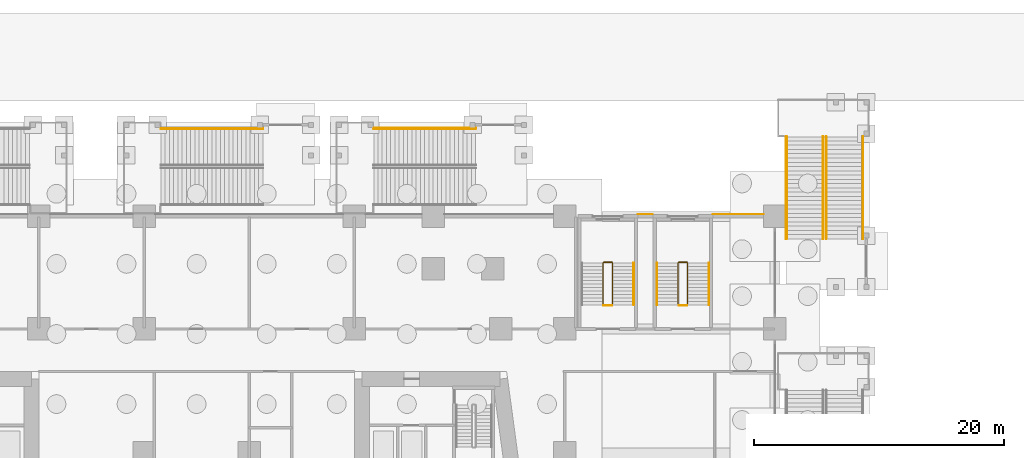
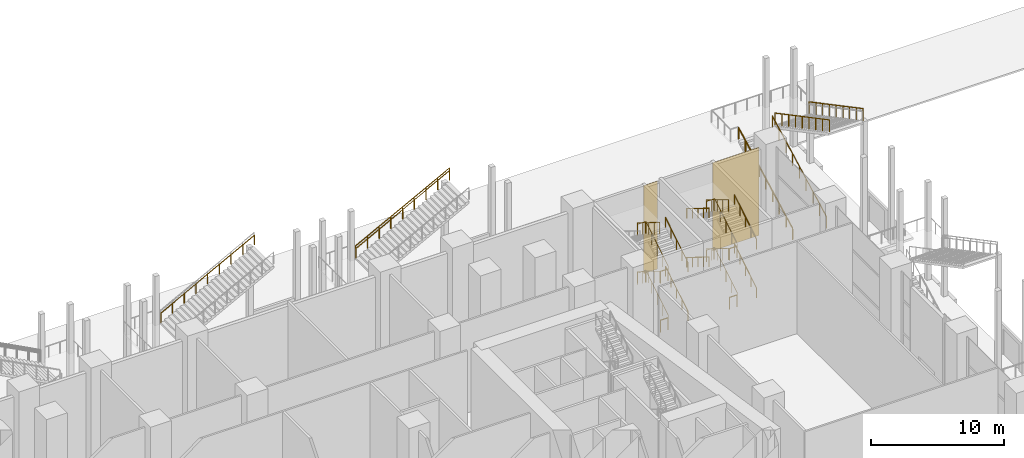
# One storey, part 70 of 72: 22 railings, 2 coverings.
"""IFC4 building model written with IfcOpenShell, lengths in metres."""

from ifc_helpers import new_model, si_unit, direction, frame, origin, origin_2d, place, context, subcontext, project, spatial, rectangle, circle, extrude, material, layer, layer_set, type_object, element, save


model = new_model("IFC4")

# Units and contexts
model_context = context("Model", 3, precision=1e-05, world=origin(), true_north=direction((0.0, 1.0)))
body_context = subcontext(model_context, "Body", "Model", "MODEL_VIEW")
ifc_project = project(units=[si_unit("LENGTHUNIT", "METRE"), si_unit("AREAUNIT", "SQUARE_METRE"), si_unit("VOLUMEUNIT", "CUBIC_METRE"), si_unit("PLANEANGLEUNIT", "RADIAN"), si_unit("MASSUNIT", "GRAM", prefix="KILO")], contexts=[model_context])

# Site, building, storey
site_placement = place(None, origin())
site = spatial("IfcSite", under=ifc_project, at=site_placement, CompositionType="ELEMENT")
building_placement = place(site_placement, origin())
building = spatial("IfcBuilding", under=site, at=building_placement, Name="Candeia Pilgrim Tower and Theatre", CompositionType="ELEMENT")
storey_placement = place(building_placement, origin())
storey = spatial("IfcBuildingStorey", under=building, at=storey_placement, Name="L00", CompositionType="ELEMENT", Elevation=0.0)

# Coverings
ifc_material_1 = material(Name="Glazed ceramic mosaic multi-colour")
ifc_layer = layer(ifc_material_1, 0.02490234375)
ifc_layer_set = layer_set([ifc_layer], Name="MS1 glazed ceramic mosaic")
covering_type = type_object("IfcCoveringType", Name="MS1 glazed ceramic mosaic", PredefinedType="CLADDING", material=ifc_layer_set)
covering_1_placement = place(storey_placement, frame((149.25, 144.96240234375, 0.0), z_axis=(0.0, 0.0, 1.0), x_axis=(1.0, 0.0, 0.0)))
element("IfcCovering", 1, at=covering_1_placement, inside=storey, type_object=covering_type, Name="Mosaic panel", PredefinedType="CLADDING", context=body_context, shape_type="SweptSolid", body=[
    extrude(rectangle(XDim=1.199951171875, YDim=0.02490234375, at=origin_2d()), origin(), (0.0, 0.0, 1.0), 8.10009765625),
])
covering_2_placement = place(storey_placement, frame((156.675048828125, 144.96240234375, 0.0), z_axis=(0.0, 0.0, 1.0), x_axis=(1.0, 0.0, 0.0)))
element("IfcCovering", 2, at=covering_2_placement, inside=storey, type_object=covering_type, Name="Mosaic panel", PredefinedType="CLADDING", context=body_context, shape_type="SweptSolid", body=[
    extrude(rectangle(XDim=4.050048828125, YDim=0.02490234375, at=origin_2d()), origin(), (0.0, 0.0, 1.0), 8.10009765625),
])

# Railings
ifc_material_2 = material(Name="Stainless steel balustrade", Category="steel")
railing_type_1 = type_object("IfcRailingType", Name="RL-GUARD-1100", PredefinedType="GUARDRAIL", material=ifc_material_2)
railing_1_placement = place(storey_placement, frame((146.625, 137.72509765625, 0.173095703125)))
element("IfcRailing", 3, at=railing_1_placement, inside=storey, type_object=railing_type_1, Name="L00 PS3 stair guard 1", PredefinedType="GUARDRAIL", context=body_context, shape_type="SweptSolid", body=[
    extrude(circle(Radius=0.02392578125, at=origin_2d()), frame((0.0, 0.0, 1.076171875), z_axis=(0.0, 0.850606129759, 0.525803396734), x_axis=(-1.0, 0.0, 0.0)), (0.0, 0.0, 1.0), 3.949951171875),
    extrude(circle(Radius=0.02392578125, at=origin_2d()), frame((0.0, 3.35986328125, 3.15283203125), z_axis=(-0.707106781187, 0.707106781187, 0.0), x_axis=(-0.707106781187, -0.707106781187, 0.0)), (0.0, 0.0, 1.0), 0.07080078125),
    extrude(circle(Radius=0.02392578125, at=origin_2d()), frame((-0.050048828125, 3.409912109375, 3.15283203125), z_axis=(-1.0, 0.0, 0.0), x_axis=(0.0, -1.0, 0.0)), (0.0, 0.0, 1.0), 0.64990234375),
    extrude(circle(Radius=0.02392578125, at=origin_2d()), frame((-0.699951171875, 3.409912109375, 3.15283203125), z_axis=(-0.267629722418, -0.267629722418, 0.925607186314), x_axis=(0.707106781187, -0.707106781187, 0.0)), (0.0, 0.0, 1.0), 0.18701171875),
    extrude(circle(Radius=0.02392578125, at=origin_2d()), frame((-0.75, 3.35986328125, 3.326171875), z_axis=(0.0, -0.850606129759, 0.525803396734), x_axis=(1.0, 0.0, 0.0)), (0.0, 0.0, 1.0), 3.949951171875),
    extrude(circle(Radius=0.02099609375, at=origin_2d()), origin(), (0.0, 0.0, 1.0), 1.052001953125),
    extrude(circle(Radius=0.02099609375, at=origin_2d()), frame((0.0, 0.83984375, 0.519287109375)), (0.0, 0.0, 1.0), 1.052001953125),
    extrude(circle(Radius=0.02099609375, at=origin_2d()), frame((0.0, 1.679931640625, 1.03857421875)), (0.0, 0.0, 1.0), 1.052001953125),
    extrude(circle(Radius=0.02099609375, at=origin_2d()), frame((0.0, 2.52001953125, 1.5576171875)), (0.0, 0.0, 1.0), 1.052001953125),
    extrude(circle(Radius=0.02099609375, at=origin_2d()), frame((0.0, 3.35986328125, 2.076904296875)), (0.0, 0.0, 1.0), 1.052001953125),
    extrude(circle(Radius=0.02099609375, at=origin_2d()), frame((-0.050048828125, 3.409912109375, 2.076904296875)), (0.0, 0.0, 1.0), 1.052001953125),
    extrude(circle(Radius=0.02099609375, at=origin_2d()), frame((-0.699951171875, 3.409912109375, 2.076904296875)), (0.0, 0.0, 1.0), 1.052001953125),
    extrude(circle(Radius=0.02099609375, at=origin_2d()), frame((-0.75, 3.35986328125, 2.25)), (0.0, 0.0, 1.0), 1.052001953125),
    extrude(circle(Radius=0.02099609375, at=origin_2d()), frame((-0.75, 2.52001953125, 2.769287109375)), (0.0, 0.0, 1.0), 1.052001953125),
    extrude(circle(Radius=0.02099609375, at=origin_2d()), frame((-0.75, 1.679931640625, 3.28857421875)), (0.0, 0.0, 1.0), 1.052001953125),
    extrude(circle(Radius=0.02099609375, at=origin_2d()), frame((-0.75, 0.83984375, 3.8076171875)), (0.0, 0.0, 1.0), 1.052001953125),
    extrude(circle(Radius=0.02099609375, at=origin_2d()), frame((-0.75, 0.0, 4.326904296875)), (0.0, 0.0, 1.0), 1.052001953125),
])
railing_2_placement = place(storey_placement, frame((146.574951171875, 137.675048828125, 4.5)))
element("IfcRailing", 4, at=railing_2_placement, inside=storey, type_object=railing_type_1, Name="L00 PS3 stair guard 2", PredefinedType="GUARDRAIL", context=body_context, shape_type="SweptSolid", body=[
    extrude(circle(Radius=0.02392578125, at=origin_2d()), frame((0.0, 0.0, 1.076171875), z_axis=(-1.0, 0.0, 0.0), x_axis=(0.0, -1.0, 0.0)), (0.0, 0.0, 1.0), 0.64990234375),
    extrude(circle(Radius=0.02099609375, at=origin_2d()), origin(), (0.0, 0.0, 1.0), 1.052001953125),
    extrude(circle(Radius=0.02099609375, at=origin_2d()), frame((-0.64990234375, 0.0, 0.0)), (0.0, 0.0, 1.0), 1.052001953125),
])
railing_3_placement = place(storey_placement, frame((146.625, 137.72509765625, 4.673095703125)))
element("IfcRailing", 5, at=railing_3_placement, inside=storey, type_object=railing_type_1, Name="L00 PS3 stair guard 3", PredefinedType="GUARDRAIL", context=body_context, shape_type="SweptSolid", body=[
    extrude(circle(Radius=0.02392578125, at=origin_2d()), frame((0.0, 0.0, 1.076171875), z_axis=(0.0, 0.850606129759, 0.525803396734), x_axis=(-1.0, 0.0, 0.0)), (0.0, 0.0, 1.0), 3.949951171875),
    extrude(circle(Radius=0.02392578125, at=origin_2d()), frame((0.0, 3.35986328125, 3.15283203125), z_axis=(-0.707106781187, 0.707106781187, 0.0), x_axis=(-0.707106781187, -0.707106781187, 0.0)), (0.0, 0.0, 1.0), 0.07080078125),
    extrude(circle(Radius=0.02392578125, at=origin_2d()), frame((-0.050048828125, 3.409912109375, 3.15283203125), z_axis=(-1.0, 0.0, 0.0), x_axis=(0.0, -1.0, 0.0)), (0.0, 0.0, 1.0), 0.64990234375),
    extrude(circle(Radius=0.02392578125, at=origin_2d()), frame((-0.699951171875, 3.409912109375, 3.15283203125), z_axis=(-0.267629722418, -0.267629722418, 0.925607186314), x_axis=(0.707106781187, -0.707106781187, 0.0)), (0.0, 0.0, 1.0), 0.18701171875),
    extrude(circle(Radius=0.02392578125, at=origin_2d()), frame((-0.75, 3.35986328125, 3.326171875), z_axis=(0.0, -0.850606129759, 0.525803396734), x_axis=(1.0, 0.0, 0.0)), (0.0, 0.0, 1.0), 3.949951171875),
    extrude(circle(Radius=0.02099609375, at=origin_2d()), origin(), (0.0, 0.0, 1.0), 1.052001953125),
    extrude(circle(Radius=0.02099609375, at=origin_2d()), frame((0.0, 0.83984375, 0.519287109375)), (0.0, 0.0, 1.0), 1.052001953125),
    extrude(circle(Radius=0.02099609375, at=origin_2d()), frame((0.0, 1.679931640625, 1.03857421875)), (0.0, 0.0, 1.0), 1.052001953125),
    extrude(circle(Radius=0.02099609375, at=origin_2d()), frame((0.0, 2.52001953125, 1.5576171875)), (0.0, 0.0, 1.0), 1.052001953125),
    extrude(circle(Radius=0.02099609375, at=origin_2d()), frame((0.0, 3.35986328125, 2.076904296875)), (0.0, 0.0, 1.0), 1.052001953125),
    extrude(circle(Radius=0.02099609375, at=origin_2d()), frame((-0.050048828125, 3.409912109375, 2.076904296875)), (0.0, 0.0, 1.0), 1.052001953125),
    extrude(circle(Radius=0.02099609375, at=origin_2d()), frame((-0.699951171875, 3.409912109375, 2.076904296875)), (0.0, 0.0, 1.0), 1.052001953125),
    extrude(circle(Radius=0.02099609375, at=origin_2d()), frame((-0.75, 3.35986328125, 2.25)), (0.0, 0.0, 1.0), 1.052001953125),
    extrude(circle(Radius=0.02099609375, at=origin_2d()), frame((-0.75, 2.52001953125, 2.769287109375)), (0.0, 0.0, 1.0), 1.052001953125),
    extrude(circle(Radius=0.02099609375, at=origin_2d()), frame((-0.75, 1.679931640625, 3.28857421875)), (0.0, 0.0, 1.0), 1.052001953125),
    extrude(circle(Radius=0.02099609375, at=origin_2d()), frame((-0.75, 0.83984375, 3.8076171875)), (0.0, 0.0, 1.0), 1.052001953125),
    extrude(circle(Radius=0.02099609375, at=origin_2d()), frame((-0.75, 0.0, 4.326904296875)), (0.0, 0.0, 1.0), 1.052001953125),
])
railing_4_placement = place(storey_placement, frame((146.574951171875, 137.675048828125, 0.0)))
element("IfcRailing", 6, at=railing_4_placement, inside=storey, type_object=railing_type_1, Name="L00 PS3 stair guard 4", PredefinedType="GUARDRAIL", context=body_context, shape_type="SweptSolid", body=[
    extrude(circle(Radius=0.02392578125, at=origin_2d()), frame((0.0, 0.0, 1.076171875), z_axis=(-1.0, 0.0, 0.0), x_axis=(0.0, -1.0, 0.0)), (0.0, 0.0, 1.0), 0.64990234375),
    extrude(circle(Radius=0.02099609375, at=origin_2d()), origin(), (0.0, 0.0, 1.0), 1.052001953125),
    extrude(circle(Radius=0.02099609375, at=origin_2d()), frame((-0.64990234375, 0.0, 0.0)), (0.0, 0.0, 1.0), 1.052001953125),
])
railing_5_placement = place(storey_placement, frame((152.625, 137.72509765625, 0.173095703125)))
element("IfcRailing", 7, at=railing_5_placement, inside=storey, type_object=railing_type_1, Name="L00 PS4 stair guard 1", PredefinedType="GUARDRAIL", context=body_context, shape_type="SweptSolid", body=[
    extrude(circle(Radius=0.02392578125, at=origin_2d()), frame((0.0, 0.0, 1.076171875), z_axis=(0.0, 0.850606129759, 0.525803396734), x_axis=(-1.0, 0.0, 0.0)), (0.0, 0.0, 1.0), 3.949951171875),
    extrude(circle(Radius=0.02392578125, at=origin_2d()), frame((0.0, 3.35986328125, 3.15283203125), z_axis=(-0.707106781187, 0.707106781187, 0.0), x_axis=(-0.707106781187, -0.707106781187, 0.0)), (0.0, 0.0, 1.0), 0.07080078125),
    extrude(circle(Radius=0.02392578125, at=origin_2d()), frame((-0.050048828125, 3.409912109375, 3.15283203125), z_axis=(-1.0, 0.0, 0.0), x_axis=(0.0, -1.0, 0.0)), (0.0, 0.0, 1.0), 0.64990234375),
    extrude(circle(Radius=0.02392578125, at=origin_2d()), frame((-0.699951171875, 3.409912109375, 3.15283203125), z_axis=(-0.267629722418, -0.267629722418, 0.925607186314), x_axis=(0.707106781187, -0.707106781187, 0.0)), (0.0, 0.0, 1.0), 0.18701171875),
    extrude(circle(Radius=0.02392578125, at=origin_2d()), frame((-0.75, 3.35986328125, 3.326171875), z_axis=(0.0, -0.850606129759, 0.525803396734), x_axis=(1.0, 0.0, 0.0)), (0.0, 0.0, 1.0), 3.949951171875),
    extrude(circle(Radius=0.02099609375, at=origin_2d()), origin(), (0.0, 0.0, 1.0), 1.052001953125),
    extrude(circle(Radius=0.02099609375, at=origin_2d()), frame((0.0, 0.83984375, 0.519287109375)), (0.0, 0.0, 1.0), 1.052001953125),
    extrude(circle(Radius=0.02099609375, at=origin_2d()), frame((0.0, 1.679931640625, 1.03857421875)), (0.0, 0.0, 1.0), 1.052001953125),
    extrude(circle(Radius=0.02099609375, at=origin_2d()), frame((0.0, 2.52001953125, 1.5576171875)), (0.0, 0.0, 1.0), 1.052001953125),
    extrude(circle(Radius=0.02099609375, at=origin_2d()), frame((0.0, 3.35986328125, 2.076904296875)), (0.0, 0.0, 1.0), 1.052001953125),
    extrude(circle(Radius=0.02099609375, at=origin_2d()), frame((-0.050048828125, 3.409912109375, 2.076904296875)), (0.0, 0.0, 1.0), 1.052001953125),
    extrude(circle(Radius=0.02099609375, at=origin_2d()), frame((-0.699951171875, 3.409912109375, 2.076904296875)), (0.0, 0.0, 1.0), 1.052001953125),
    extrude(circle(Radius=0.02099609375, at=origin_2d()), frame((-0.75, 3.35986328125, 2.25)), (0.0, 0.0, 1.0), 1.052001953125),
    extrude(circle(Radius=0.02099609375, at=origin_2d()), frame((-0.75, 2.52001953125, 2.769287109375)), (0.0, 0.0, 1.0), 1.052001953125),
    extrude(circle(Radius=0.02099609375, at=origin_2d()), frame((-0.75, 1.679931640625, 3.28857421875)), (0.0, 0.0, 1.0), 1.052001953125),
    extrude(circle(Radius=0.02099609375, at=origin_2d()), frame((-0.75, 0.83984375, 3.8076171875)), (0.0, 0.0, 1.0), 1.052001953125),
    extrude(circle(Radius=0.02099609375, at=origin_2d()), frame((-0.75, 0.0, 4.326904296875)), (0.0, 0.0, 1.0), 1.052001953125),
])
railing_6_placement = place(storey_placement, frame((152.574951171875, 137.675048828125, 4.5)))
element("IfcRailing", 8, at=railing_6_placement, inside=storey, type_object=railing_type_1, Name="L00 PS4 stair guard 2", PredefinedType="GUARDRAIL", context=body_context, shape_type="SweptSolid", body=[
    extrude(circle(Radius=0.02392578125, at=origin_2d()), frame((0.0, 0.0, 1.076171875), z_axis=(-1.0, 0.0, 0.0), x_axis=(0.0, -1.0, 0.0)), (0.0, 0.0, 1.0), 0.64990234375),
    extrude(circle(Radius=0.02099609375, at=origin_2d()), origin(), (0.0, 0.0, 1.0), 1.052001953125),
    extrude(circle(Radius=0.02099609375, at=origin_2d()), frame((-0.64990234375, 0.0, 0.0)), (0.0, 0.0, 1.0), 1.052001953125),
])
railing_7_placement = place(storey_placement, frame((152.625, 137.72509765625, 4.673095703125)))
element("IfcRailing", 9, at=railing_7_placement, inside=storey, type_object=railing_type_1, Name="L00 PS4 stair guard 3", PredefinedType="GUARDRAIL", context=body_context, shape_type="SweptSolid", body=[
    extrude(circle(Radius=0.02392578125, at=origin_2d()), frame((0.0, 0.0, 1.076171875), z_axis=(0.0, 0.850606129759, 0.525803396734), x_axis=(-1.0, 0.0, 0.0)), (0.0, 0.0, 1.0), 3.949951171875),
    extrude(circle(Radius=0.02392578125, at=origin_2d()), frame((0.0, 3.35986328125, 3.15283203125), z_axis=(-0.707106781187, 0.707106781187, 0.0), x_axis=(-0.707106781187, -0.707106781187, 0.0)), (0.0, 0.0, 1.0), 0.07080078125),
    extrude(circle(Radius=0.02392578125, at=origin_2d()), frame((-0.050048828125, 3.409912109375, 3.15283203125), z_axis=(-1.0, 0.0, 0.0), x_axis=(0.0, -1.0, 0.0)), (0.0, 0.0, 1.0), 0.64990234375),
    extrude(circle(Radius=0.02392578125, at=origin_2d()), frame((-0.699951171875, 3.409912109375, 3.15283203125), z_axis=(-0.267629722418, -0.267629722418, 0.925607186314), x_axis=(0.707106781187, -0.707106781187, 0.0)), (0.0, 0.0, 1.0), 0.18701171875),
    extrude(circle(Radius=0.02392578125, at=origin_2d()), frame((-0.75, 3.35986328125, 3.326171875), z_axis=(0.0, -0.850606129759, 0.525803396734), x_axis=(1.0, 0.0, 0.0)), (0.0, 0.0, 1.0), 3.949951171875),
    extrude(circle(Radius=0.02099609375, at=origin_2d()), origin(), (0.0, 0.0, 1.0), 1.052001953125),
    extrude(circle(Radius=0.02099609375, at=origin_2d()), frame((0.0, 0.83984375, 0.519287109375)), (0.0, 0.0, 1.0), 1.052001953125),
    extrude(circle(Radius=0.02099609375, at=origin_2d()), frame((0.0, 1.679931640625, 1.03857421875)), (0.0, 0.0, 1.0), 1.052001953125),
    extrude(circle(Radius=0.02099609375, at=origin_2d()), frame((0.0, 2.52001953125, 1.5576171875)), (0.0, 0.0, 1.0), 1.052001953125),
    extrude(circle(Radius=0.02099609375, at=origin_2d()), frame((0.0, 3.35986328125, 2.076904296875)), (0.0, 0.0, 1.0), 1.052001953125),
    extrude(circle(Radius=0.02099609375, at=origin_2d()), frame((-0.050048828125, 3.409912109375, 2.076904296875)), (0.0, 0.0, 1.0), 1.052001953125),
    extrude(circle(Radius=0.02099609375, at=origin_2d()), frame((-0.699951171875, 3.409912109375, 2.076904296875)), (0.0, 0.0, 1.0), 1.052001953125),
    extrude(circle(Radius=0.02099609375, at=origin_2d()), frame((-0.75, 3.35986328125, 2.25)), (0.0, 0.0, 1.0), 1.052001953125),
    extrude(circle(Radius=0.02099609375, at=origin_2d()), frame((-0.75, 2.52001953125, 2.769287109375)), (0.0, 0.0, 1.0), 1.052001953125),
    extrude(circle(Radius=0.02099609375, at=origin_2d()), frame((-0.75, 1.679931640625, 3.28857421875)), (0.0, 0.0, 1.0), 1.052001953125),
    extrude(circle(Radius=0.02099609375, at=origin_2d()), frame((-0.75, 0.83984375, 3.8076171875)), (0.0, 0.0, 1.0), 1.052001953125),
    extrude(circle(Radius=0.02099609375, at=origin_2d()), frame((-0.75, 0.0, 4.326904296875)), (0.0, 0.0, 1.0), 1.052001953125),
])
railing_8_placement = place(storey_placement, frame((152.574951171875, 137.675048828125, 0.0)))
element("IfcRailing", 10, at=railing_8_placement, inside=storey, type_object=railing_type_1, Name="L00 PS4 stair guard 4", PredefinedType="GUARDRAIL", context=body_context, shape_type="SweptSolid", body=[
    extrude(circle(Radius=0.02392578125, at=origin_2d()), frame((0.0, 0.0, 1.076171875), z_axis=(-1.0, 0.0, 0.0), x_axis=(0.0, -1.0, 0.0)), (0.0, 0.0, 1.0), 0.64990234375),
    extrude(circle(Radius=0.02099609375, at=origin_2d()), origin(), (0.0, 0.0, 1.0), 1.052001953125),
    extrude(circle(Radius=0.02099609375, at=origin_2d()), frame((-0.64990234375, 0.0, 0.0)), (0.0, 0.0, 1.0), 1.052001953125),
])
railing_9_placement = place(storey_placement, frame((163.449951171875, 143.0, 0.179931640625)))
element("IfcRailing", 11, at=railing_9_placement, inside=storey, type_object=railing_type_1, Name="L00 ES2 stair guard 1", PredefinedType="GUARDRAIL", context=body_context, shape_type="SweptSolid", body=[
    extrude(circle(Radius=0.02392578125, at=origin_2d()), frame((0.0, 0.0, 1.076171875), z_axis=(0.0, 0.883782770755, 0.467897439742), x_axis=(-1.0, 0.0, 0.0)), (0.0, 0.0, 1.0), 9.23291015625),
    extrude(circle(Radius=0.02099609375, at=origin_2d()), origin(), (0.0, 0.0, 1.0), 1.052001953125),
    extrude(circle(Radius=0.02099609375, at=origin_2d()), frame((0.0, 1.02001953125, 0.5400390625)), (0.0, 0.0, 1.0), 1.052001953125),
    extrude(circle(Radius=0.02099609375, at=origin_2d()), frame((0.0, 2.0400390625, 1.080078125)), (0.0, 0.0, 1.0), 1.052001953125),
    extrude(circle(Radius=0.02099609375, at=origin_2d()), frame((0.0, 3.06005859375, 1.6201171875)), (0.0, 0.0, 1.0), 1.052001953125),
    extrude(circle(Radius=0.02099609375, at=origin_2d()), frame((0.0, 4.080078125, 2.16015625)), (0.0, 0.0, 1.0), 1.052001953125),
    extrude(circle(Radius=0.02099609375, at=origin_2d()), frame((0.0, 5.099853515625, 2.699951171875)), (0.0, 0.0, 1.0), 1.052001953125),
    extrude(circle(Radius=0.02099609375, at=origin_2d()), frame((0.0, 6.119873046875, 3.239990234375)), (0.0, 0.0, 1.0), 1.052001953125),
    extrude(circle(Radius=0.02099609375, at=origin_2d()), frame((0.0, 7.139892578125, 3.780029296875)), (0.0, 0.0, 1.0), 1.052001953125),
    extrude(circle(Radius=0.02099609375, at=origin_2d()), frame((0.0, 8.159912109375, 4.320068359375)), (0.0, 0.0, 1.0), 1.052001953125),
])
railing_10_placement = place(storey_placement, frame((163.699951171875, 151.159912109375, 4.679931640625)))
element("IfcRailing", 12, at=railing_10_placement, inside=storey, type_object=railing_type_1, Name="L00 ES2 stair guard 2", PredefinedType="GUARDRAIL", context=body_context, shape_type="SweptSolid", body=[
    extrude(circle(Radius=0.02392578125, at=origin_2d()), frame((0.0, 0.0, 1.076171875), z_axis=(0.0, -0.883782770755, 0.467897439742), x_axis=(1.0, 0.0, 0.0)), (0.0, 0.0, 1.0), 9.23291015625),
    extrude(circle(Radius=0.02099609375, at=origin_2d()), origin(), (0.0, 0.0, 1.0), 1.052001953125),
    extrude(circle(Radius=0.02099609375, at=origin_2d()), frame((0.0, -1.02001953125, 0.5400390625)), (0.0, 0.0, 1.0), 1.052001953125),
    extrude(circle(Radius=0.02099609375, at=origin_2d()), frame((0.0, -2.0400390625, 1.080078125)), (0.0, 0.0, 1.0), 1.052001953125),
    extrude(circle(Radius=0.02099609375, at=origin_2d()), frame((0.0, -3.06005859375, 1.6201171875)), (0.0, 0.0, 1.0), 1.052001953125),
    extrude(circle(Radius=0.02099609375, at=origin_2d()), frame((0.0, -4.080078125, 2.16015625)), (0.0, 0.0, 1.0), 1.052001953125),
    extrude(circle(Radius=0.02099609375, at=origin_2d()), frame((0.0, -5.099853515625, 2.699951171875)), (0.0, 0.0, 1.0), 1.052001953125),
    extrude(circle(Radius=0.02099609375, at=origin_2d()), frame((0.0, -6.119873046875, 3.239990234375)), (0.0, 0.0, 1.0), 1.052001953125),
    extrude(circle(Radius=0.02099609375, at=origin_2d()), frame((0.0, -7.139892578125, 3.780029296875)), (0.0, 0.0, 1.0), 1.052001953125),
    extrude(circle(Radius=0.02099609375, at=origin_2d()), frame((0.0, -8.159912109375, 4.320068359375)), (0.0, 0.0, 1.0), 1.052001953125),
])
railing_11_placement = place(storey_placement, frame((160.5, 143.0, 0.179931640625)))
element("IfcRailing", 13, at=railing_11_placement, inside=storey, type_object=railing_type_1, Name="L00 ES2 stair guard 3", PredefinedType="GUARDRAIL", context=body_context, shape_type="SweptSolid", body=[
    extrude(circle(Radius=0.02392578125, at=origin_2d()), frame((0.0, 0.0, 1.076171875), z_axis=(0.0, 0.883782770755, 0.467897439742), x_axis=(-1.0, 0.0, 0.0)), (0.0, 0.0, 1.0), 9.23291015625),
    extrude(circle(Radius=0.02099609375, at=origin_2d()), origin(), (0.0, 0.0, 1.0), 1.052001953125),
    extrude(circle(Radius=0.02099609375, at=origin_2d()), frame((0.0, 1.02001953125, 0.5400390625)), (0.0, 0.0, 1.0), 1.052001953125),
    extrude(circle(Radius=0.02099609375, at=origin_2d()), frame((0.0, 2.0400390625, 1.080078125)), (0.0, 0.0, 1.0), 1.052001953125),
    extrude(circle(Radius=0.02099609375, at=origin_2d()), frame((0.0, 3.06005859375, 1.6201171875)), (0.0, 0.0, 1.0), 1.052001953125),
    extrude(circle(Radius=0.02099609375, at=origin_2d()), frame((0.0, 4.080078125, 2.16015625)), (0.0, 0.0, 1.0), 1.052001953125),
    extrude(circle(Radius=0.02099609375, at=origin_2d()), frame((0.0, 5.099853515625, 2.699951171875)), (0.0, 0.0, 1.0), 1.052001953125),
    extrude(circle(Radius=0.02099609375, at=origin_2d()), frame((0.0, 6.119873046875, 3.239990234375)), (0.0, 0.0, 1.0), 1.052001953125),
    extrude(circle(Radius=0.02099609375, at=origin_2d()), frame((0.0, 7.139892578125, 3.780029296875)), (0.0, 0.0, 1.0), 1.052001953125),
    extrude(circle(Radius=0.02099609375, at=origin_2d()), frame((0.0, 8.159912109375, 4.320068359375)), (0.0, 0.0, 1.0), 1.052001953125),
])
railing_12_placement = place(storey_placement, frame((166.64990234375, 151.159912109375, 4.679931640625)))
element("IfcRailing", 14, at=railing_12_placement, inside=storey, type_object=railing_type_1, Name="L00 ES2 stair guard 4", PredefinedType="GUARDRAIL", context=body_context, shape_type="SweptSolid", body=[
    extrude(circle(Radius=0.02392578125, at=origin_2d()), frame((0.0, 0.0, 1.076171875), z_axis=(0.0, -0.883782770755, 0.467897439742), x_axis=(1.0, 0.0, 0.0)), (0.0, 0.0, 1.0), 9.23291015625),
    extrude(circle(Radius=0.02099609375, at=origin_2d()), origin(), (0.0, 0.0, 1.0), 1.052001953125),
    extrude(circle(Radius=0.02099609375, at=origin_2d()), frame((0.0, -1.02001953125, 0.5400390625)), (0.0, 0.0, 1.0), 1.052001953125),
    extrude(circle(Radius=0.02099609375, at=origin_2d()), frame((0.0, -2.0400390625, 1.080078125)), (0.0, 0.0, 1.0), 1.052001953125),
    extrude(circle(Radius=0.02099609375, at=origin_2d()), frame((0.0, -3.06005859375, 1.6201171875)), (0.0, 0.0, 1.0), 1.052001953125),
    extrude(circle(Radius=0.02099609375, at=origin_2d()), frame((0.0, -4.080078125, 2.16015625)), (0.0, 0.0, 1.0), 1.052001953125),
    extrude(circle(Radius=0.02099609375, at=origin_2d()), frame((0.0, -5.099853515625, 2.699951171875)), (0.0, 0.0, 1.0), 1.052001953125),
    extrude(circle(Radius=0.02099609375, at=origin_2d()), frame((0.0, -6.119873046875, 3.239990234375)), (0.0, 0.0, 1.0), 1.052001953125),
    extrude(circle(Radius=0.02099609375, at=origin_2d()), frame((0.0, -7.139892578125, 3.780029296875)), (0.0, 0.0, 1.0), 1.052001953125),
    extrude(circle(Radius=0.02099609375, at=origin_2d()), frame((0.0, -8.159912109375, 4.320068359375)), (0.0, 0.0, 1.0), 1.052001953125),
])
railing_13_placement = place(storey_placement, frame((127.5400390625, 151.85009765625, 4.679931640625)))
element("IfcRailing", 15, at=railing_13_placement, inside=storey, type_object=railing_type_1, Name="L00 ES7 stair guard 4", PredefinedType="GUARDRAIL", context=body_context, shape_type="SweptSolid", body=[
    extrude(circle(Radius=0.02392578125, at=origin_2d()), frame((0.0, 0.0, 1.076171875), z_axis=(0.883782770755, 0.0, 0.467897439742), x_axis=(0.0, 1.0, 0.0)), (0.0, 0.0, 1.0), 9.23291015625),
    extrude(circle(Radius=0.02099609375, at=origin_2d()), origin(), (0.0, 0.0, 1.0), 1.052001953125),
    extrude(circle(Radius=0.02099609375, at=origin_2d()), frame((1.02001953125, 0.0, 0.5400390625)), (0.0, 0.0, 1.0), 1.052001953125),
    extrude(circle(Radius=0.02099609375, at=origin_2d()), frame((2.0400390625, 0.0, 1.080078125)), (0.0, 0.0, 1.0), 1.052001953125),
    extrude(circle(Radius=0.02099609375, at=origin_2d()), frame((3.06005859375, 0.0, 1.6201171875)), (0.0, 0.0, 1.0), 1.052001953125),
    extrude(circle(Radius=0.02099609375, at=origin_2d()), frame((4.080078125, 0.0, 2.16015625)), (0.0, 0.0, 1.0), 1.052001953125),
    extrude(circle(Radius=0.02099609375, at=origin_2d()), frame((5.099853515625, 0.0, 2.699951171875)), (0.0, 0.0, 1.0), 1.052001953125),
    extrude(circle(Radius=0.02099609375, at=origin_2d()), frame((6.119873046875, 0.0, 3.239990234375)), (0.0, 0.0, 1.0), 1.052001953125),
    extrude(circle(Radius=0.02099609375, at=origin_2d()), frame((7.139892578125, 0.0, 3.780029296875)), (0.0, 0.0, 1.0), 1.052001953125),
    extrude(circle(Radius=0.02099609375, at=origin_2d()), frame((8.159912109375, 0.0, 4.320068359375)), (0.0, 0.0, 1.0), 1.052001953125),
])
ifc_material_3 = material(Name="Stainless steel handrail", Category="steel")
railing_type_2 = type_object("IfcRailingType", Name="RL-HANDRAIL-900", PredefinedType="HANDRAIL", material=ifc_material_3)
for number, where, name in (
    (16, (148.324951171875, 137.72509765625, 0.173095703125), "L00 PS3 stair handrail 1"),
    (17, (148.324951171875, 137.72509765625, 4.673095703125), "L00 PS3 stair handrail 3"),
    (18, (154.324951171875, 137.72509765625, 0.173095703125), "L00 PS4 stair handrail 1"),
):
    element("IfcRailing", number, at=place(storey_placement, frame(where)), inside=storey, type_object=railing_type_2, Name=name, PredefinedType="HANDRAIL", context=body_context, shape_type="SweptSolid", body=[
        extrude(circle(Radius=0.02392578125, at=origin_2d()), frame((0.0, 0.0, 0.8759765625), z_axis=(0.0, 0.850606129759, 0.525803396734), x_axis=(-1.0, 0.0, 0.0)), (0.0, 0.0, 1.0), 3.949951171875),
        extrude(circle(Radius=0.02099609375, at=origin_2d()), origin(), (0.0, 0.0, 1.0), 0.851806640625),
        extrude(circle(Radius=0.02099609375, at=origin_2d()), frame((0.0, 0.83984375, 0.519287109375)), (0.0, 0.0, 1.0), 0.851806640625),
        extrude(circle(Radius=0.02099609375, at=origin_2d()), frame((0.0, 1.679931640625, 1.03857421875)), (0.0, 0.0, 1.0), 0.851806640625),
        extrude(circle(Radius=0.02099609375, at=origin_2d()), frame((0.0, 2.52001953125, 1.5576171875)), (0.0, 0.0, 1.0), 0.851806640625),
        extrude(circle(Radius=0.02099609375, at=origin_2d()), frame((0.0, 3.35986328125, 2.076904296875)), (0.0, 0.0, 1.0), 0.851806640625),
    ])
railing_14_placement = place(storey_placement, frame((150.175048828125, 141.0849609375, 2.423095703125)))
element("IfcRailing", 19, at=railing_14_placement, inside=storey, type_object=railing_type_2, Name="L00 PS4 stair handrail 2", PredefinedType="HANDRAIL", context=body_context, shape_type="SweptSolid", body=[
    extrude(circle(Radius=0.02392578125, at=origin_2d()), frame((0.0, 0.0, 0.8759765625), z_axis=(0.0, -0.850606129759, 0.525803396734), x_axis=(1.0, 0.0, 0.0)), (0.0, 0.0, 1.0), 3.949951171875),
    extrude(circle(Radius=0.02099609375, at=origin_2d()), origin(), (0.0, 0.0, 1.0), 0.851806640625),
    extrude(circle(Radius=0.02099609375, at=origin_2d()), frame((0.0, -0.83984375, 0.519287109375)), (0.0, 0.0, 1.0), 0.851806640625),
    extrude(circle(Radius=0.02099609375, at=origin_2d()), frame((0.0, -1.679931640625, 1.03857421875)), (0.0, 0.0, 1.0), 0.851806640625),
    extrude(circle(Radius=0.02099609375, at=origin_2d()), frame((0.0, -2.52001953125, 1.5576171875)), (0.0, 0.0, 1.0), 0.851806640625),
    extrude(circle(Radius=0.02099609375, at=origin_2d()), frame((0.0, -3.35986328125, 2.076904296875)), (0.0, 0.0, 1.0), 0.851806640625),
])
railing_15_placement = place(storey_placement, frame((154.324951171875, 137.72509765625, 4.673095703125)))
element("IfcRailing", 20, at=railing_15_placement, inside=storey, type_object=railing_type_2, Name="L00 PS4 stair handrail 3", PredefinedType="HANDRAIL", context=body_context, shape_type="SweptSolid", body=[
    extrude(circle(Radius=0.02392578125, at=origin_2d()), frame((0.0, 0.0, 0.8759765625), z_axis=(0.0, 0.850606129759, 0.525803396734), x_axis=(-1.0, 0.0, 0.0)), (0.0, 0.0, 1.0), 3.949951171875),
    extrude(circle(Radius=0.02099609375, at=origin_2d()), origin(), (0.0, 0.0, 1.0), 0.851806640625),
    extrude(circle(Radius=0.02099609375, at=origin_2d()), frame((0.0, 0.83984375, 0.519287109375)), (0.0, 0.0, 1.0), 0.851806640625),
    extrude(circle(Radius=0.02099609375, at=origin_2d()), frame((0.0, 1.679931640625, 1.03857421875)), (0.0, 0.0, 1.0), 0.851806640625),
    extrude(circle(Radius=0.02099609375, at=origin_2d()), frame((0.0, 2.52001953125, 1.5576171875)), (0.0, 0.0, 1.0), 0.851806640625),
    extrude(circle(Radius=0.02099609375, at=origin_2d()), frame((0.0, 3.35986328125, 2.076904296875)), (0.0, 0.0, 1.0), 0.851806640625),
])
railing_16_placement = place(storey_placement, frame((150.175048828125, 141.0849609375, 6.923095703125)))
element("IfcRailing", 21, at=railing_16_placement, inside=storey, type_object=railing_type_2, Name="L00 PS4 stair handrail 4", PredefinedType="HANDRAIL", context=body_context, shape_type="SweptSolid", body=[
    extrude(circle(Radius=0.02392578125, at=origin_2d()), frame((0.0, 0.0, 0.8759765625), z_axis=(0.0, -0.850606129759, 0.525803396734), x_axis=(1.0, 0.0, 0.0)), (0.0, 0.0, 1.0), 3.949951171875),
    extrude(circle(Radius=0.02099609375, at=origin_2d()), origin(), (0.0, 0.0, 1.0), 0.851806640625),
    extrude(circle(Radius=0.02099609375, at=origin_2d()), frame((0.0, -0.83984375, 0.519287109375)), (0.0, 0.0, 1.0), 0.851806640625),
    extrude(circle(Radius=0.02099609375, at=origin_2d()), frame((0.0, -1.679931640625, 1.03857421875)), (0.0, 0.0, 1.0), 0.851806640625),
    extrude(circle(Radius=0.02099609375, at=origin_2d()), frame((0.0, -2.52001953125, 1.5576171875)), (0.0, 0.0, 1.0), 0.851806640625),
    extrude(circle(Radius=0.02099609375, at=origin_2d()), frame((0.0, -3.35986328125, 2.076904296875)), (0.0, 0.0, 1.0), 0.851806640625),
])
railing_17_placement = place(storey_placement, frame((160.550048828125, 143.0, 0.179931640625)))
element("IfcRailing", 22, at=railing_17_placement, inside=storey, type_object=railing_type_2, Name="L00 ES2 stair handrail 1", PredefinedType="HANDRAIL", context=body_context, shape_type="SweptSolid", body=[
    extrude(circle(Radius=0.02392578125, at=origin_2d()), frame((0.0, 0.0, 0.8759765625), z_axis=(0.0, 0.883782770755, 0.467897439742), x_axis=(-1.0, 0.0, 0.0)), (0.0, 0.0, 1.0), 9.23291015625),
    extrude(circle(Radius=0.02099609375, at=origin_2d()), origin(), (0.0, 0.0, 1.0), 0.851806640625),
    extrude(circle(Radius=0.02099609375, at=origin_2d()), frame((0.0, 1.02001953125, 0.5400390625)), (0.0, 0.0, 1.0), 0.851806640625),
    extrude(circle(Radius=0.02099609375, at=origin_2d()), frame((0.0, 2.0400390625, 1.080078125)), (0.0, 0.0, 1.0), 0.851806640625),
    extrude(circle(Radius=0.02099609375, at=origin_2d()), frame((0.0, 3.06005859375, 1.6201171875)), (0.0, 0.0, 1.0), 0.851806640625),
    extrude(circle(Radius=0.02099609375, at=origin_2d()), frame((0.0, 4.080078125, 2.16015625)), (0.0, 0.0, 1.0), 0.851806640625),
    extrude(circle(Radius=0.02099609375, at=origin_2d()), frame((0.0, 5.099853515625, 2.699951171875)), (0.0, 0.0, 1.0), 0.851806640625),
    extrude(circle(Radius=0.02099609375, at=origin_2d()), frame((0.0, 6.119873046875, 3.239990234375)), (0.0, 0.0, 1.0), 0.851806640625),
    extrude(circle(Radius=0.02099609375, at=origin_2d()), frame((0.0, 7.139892578125, 3.780029296875)), (0.0, 0.0, 1.0), 0.851806640625),
    extrude(circle(Radius=0.02099609375, at=origin_2d()), frame((0.0, 8.159912109375, 4.320068359375)), (0.0, 0.0, 1.0), 0.851806640625),
])
for number, where, name in (
    (23, (110.5400390625, 151.800048828125, 4.679931640625), "L00 ES6 stair handrail 2"),
    (24, (127.5400390625, 151.800048828125, 4.679931640625), "L00 ES7 stair handrail 2"),
):
    element("IfcRailing", number, at=place(storey_placement, frame(where)), inside=storey, type_object=railing_type_2, Name=name, PredefinedType="HANDRAIL", context=body_context, shape_type="SweptSolid", body=[
        extrude(circle(Radius=0.02392578125, at=origin_2d()), frame((0.0, 0.0, 0.8759765625), z_axis=(0.883782770755, 0.0, 0.467897439742), x_axis=(0.0, 1.0, 0.0)), (0.0, 0.0, 1.0), 9.23291015625),
        extrude(circle(Radius=0.02099609375, at=origin_2d()), origin(), (0.0, 0.0, 1.0), 0.851806640625),
        extrude(circle(Radius=0.02099609375, at=origin_2d()), frame((1.02001953125, 0.0, 0.5400390625)), (0.0, 0.0, 1.0), 0.851806640625),
        extrude(circle(Radius=0.02099609375, at=origin_2d()), frame((2.0400390625, 0.0, 1.080078125)), (0.0, 0.0, 1.0), 0.851806640625),
        extrude(circle(Radius=0.02099609375, at=origin_2d()), frame((3.06005859375, 0.0, 1.6201171875)), (0.0, 0.0, 1.0), 0.851806640625),
        extrude(circle(Radius=0.02099609375, at=origin_2d()), frame((4.080078125, 0.0, 2.16015625)), (0.0, 0.0, 1.0), 0.851806640625),
        extrude(circle(Radius=0.02099609375, at=origin_2d()), frame((5.099853515625, 0.0, 2.699951171875)), (0.0, 0.0, 1.0), 0.851806640625),
        extrude(circle(Radius=0.02099609375, at=origin_2d()), frame((6.119873046875, 0.0, 3.239990234375)), (0.0, 0.0, 1.0), 0.851806640625),
        extrude(circle(Radius=0.02099609375, at=origin_2d()), frame((7.139892578125, 0.0, 3.780029296875)), (0.0, 0.0, 1.0), 0.851806640625),
        extrude(circle(Radius=0.02099609375, at=origin_2d()), frame((8.159912109375, 0.0, 4.320068359375)), (0.0, 0.0, 1.0), 0.851806640625),
    ])

save(model, "model.ifc")
